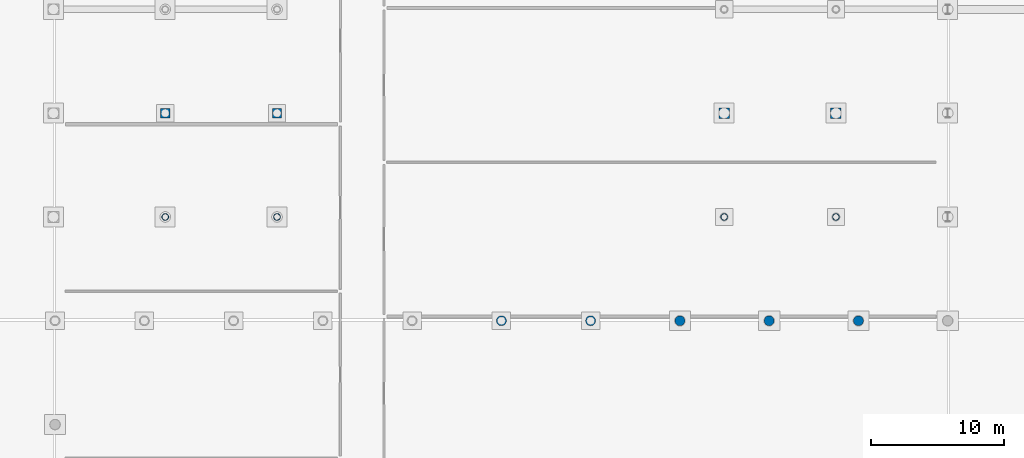
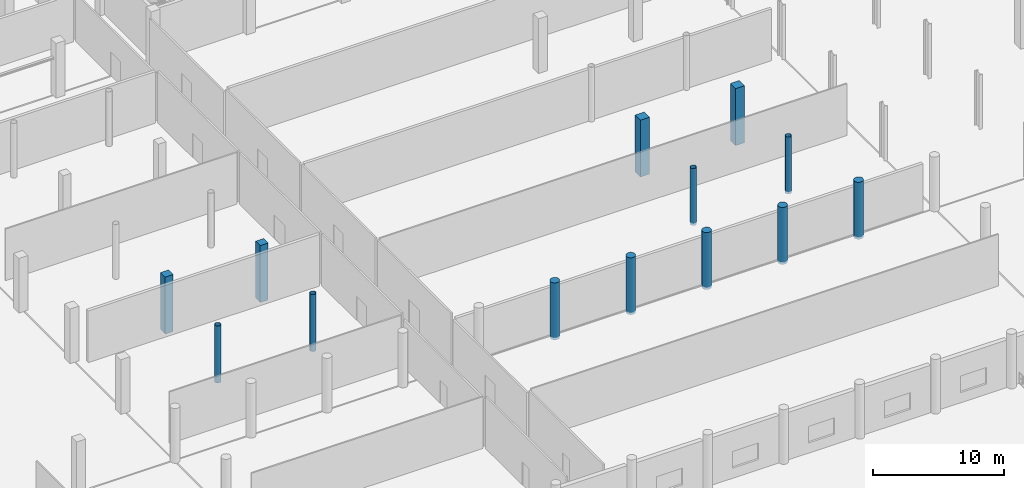
# One storey, part 12 of 48: 13 columns.
"""IFC4 building model written with IfcOpenShell, lengths in metres."""

from ifc_helpers import new_model, si_unit, direction, frame, origin, origin_2d, place, context, subcontext, project, spatial, rectangle, circle, hollow_circle, extrude, material, material_profile, profile_set, type_object, element, save


model = new_model("IFC4")

# Units and contexts
model_context = context("Model", 3, precision=1e-05, world=origin(), true_north=direction((0.0, 1.0)))
body_context = subcontext(model_context, "Body", "Model", "MODEL_VIEW")
ifc_project = project(units=[si_unit("LENGTHUNIT", "METRE"), si_unit("AREAUNIT", "SQUARE_METRE"), si_unit("VOLUMEUNIT", "CUBIC_METRE"), si_unit("PLANEANGLEUNIT", "RADIAN"), si_unit("MASSUNIT", "GRAM", prefix="KILO")], contexts=[model_context])

# Site, building, storey
site_placement = place(None, origin())
site = spatial("IfcSite", under=ifc_project, at=site_placement, CompositionType="ELEMENT")
building_placement = place(site_placement, origin())
building = spatial("IfcBuilding", under=site, at=building_placement, Name="Nabrawat Pavilion Hospital", CompositionType="ELEMENT")
storey_placement = place(building_placement, frame((0.0, 0.0, -5.10009765625)))
storey = spatial("IfcBuildingStorey", under=building, at=storey_placement, Name="B1", CompositionType="ELEMENT", Elevation=-5.10009765625)

# Columns
ifc_material_1 = material(Name="Steel S355", Category="steel")
ifc_material_profile_1 = material_profile(ifc_material_1, hollow_circle(Radius=0.25390625, WallThickness=0.02001953125, at=origin_2d()), Name="CHS 508x20")
ifc_profile_set_1 = profile_set([ifc_material_profile_1], Name="Steel S355")
column_type_1 = type_object("IfcColumnType", Name="Courtyard Bridge Base Column CHS 508x20", PredefinedType="COLUMN", material=ifc_profile_set_1)
for number, where, z_axis, x_axis, name in (
    (1, (75.60009765625, 46.800048828125, -0.219970703125), (0.0, 0.0, 1.0), (1.0, 0.0, 0.0), "B1 Structural Column G-10-G"),
    (2, (109.199951171875, 46.800048828125, -0.219970703125), (0.0, 0.0, 1.0), (1.0, 0.0, 0.0), "B1 Structural Column G-14-G"),
    (3, (117.60009765625, 46.800048828125, -0.219970703125), (0.0, 0.0, 1.0), (1.0, 0.0, 0.0), "B1 Structural Column G-15-G"),
    (4, (67.199951171875, 46.800048828125, -0.219970703125), (0.0, 0.0, 1.0), (1.0, 0.0, 0.0), "B1 Structural Column G-9-G"),
):
    element("IfcColumn", number, at=place(storey_placement, frame(where, z_axis=z_axis, x_axis=x_axis)), inside=storey, type_object=column_type_1, Name=name, PredefinedType="COLUMN", context=body_context, shape_type="SweptSolid", body=[
        extrude(hollow_circle(Radius=0.25390625, WallThickness=0.02001953125, at=origin_2d()), origin(), (0.0, 0.0, 1.0), 5.320068359375),
    ])
ifc_material_2 = material(Name="Concrete C40/50", Category="concrete")
ifc_material_profile_2 = material_profile(ifc_material_2, rectangle(XDim=0.699951171875, YDim=0.699951171875, at=origin_2d()), Name="RC 700x700")
ifc_profile_set_2 = profile_set([ifc_material_profile_2], Name="Concrete C40/50")
column_type_2 = type_object("IfcColumnType", Name="Mid-Tier Ward RC Column 700x700", PredefinedType="COLUMN", material=ifc_profile_set_2)
for number, where, z_axis, x_axis, name in (
    (5, (75.60009765625, 54.60009765625, -0.219970703125), (0.0, 0.0, 1.0), (1.0, 0.0, 0.0), "B1 Structural Column G-10-H"),
    (6, (67.199951171875, 54.60009765625, -0.219970703125), (0.0, 0.0, 1.0), (1.0, 0.0, 0.0), "B1 Structural Column G-9-H"),
):
    element("IfcColumn", number, at=place(storey_placement, frame(where, z_axis=z_axis, x_axis=x_axis)), inside=storey, type_object=column_type_2, Name=name, PredefinedType="COLUMN", context=body_context, shape_type="SweptSolid", body=[
        extrude(rectangle(XDim=0.699951171875, YDim=0.699951171875, at=origin_2d()), origin(), (0.0, 0.0, 1.0), 5.320068359375),
    ])
ifc_material_profile_3 = material_profile(ifc_material_2, circle(Radius=0.375, at=origin_2d()), Name="RC D750")
ifc_profile_set_3 = profile_set([ifc_material_profile_3], Name="Concrete C40/50")
column_type_3 = type_object("IfcColumnType", Name="Pavilion Base Composite Column D750", PredefinedType="COLUMN", material=ifc_profile_set_3)
for number, where, z_axis, x_axis, name in (
    (7, (92.4599609375, 39.0, -0.219970703125), (0.0, 0.0, 1.0), (1.0, 0.0, 0.0), "B1 Expressed Pavilion Column MH-N05"),
    (8, (99.16796875, 39.0, -0.219970703125), (0.0, 0.0, 1.0), (1.0, 0.0, 0.0), "B1 Expressed Pavilion Column MH-N06"),
    (9, (105.8759765625, 39.0, -0.219970703125), (0.0, 0.0, 1.0), (1.0, 0.0, 0.0), "B1 Expressed Pavilion Column MH-N07"),
    (10, (112.583984375, 39.0, -0.219970703125), (0.0, 0.0, 1.0), (1.0, 0.0, 0.0), "B1 Expressed Pavilion Column MH-N08"),
    (11, (119.2919921875, 39.0, -0.219970703125), (0.0, 0.0, 1.0), (1.0, 0.0, 0.0), "B1 Expressed Pavilion Column MH-N09"),
):
    element("IfcColumn", number, at=place(storey_placement, frame(where, z_axis=z_axis, x_axis=x_axis)), inside=storey, type_object=column_type_3, Name=name, PredefinedType="COLUMN", context=body_context, shape_type="SweptSolid", body=[
        extrude(circle(Radius=0.375, at=origin_2d()), origin(), (0.0, 0.0, 1.0), 5.320068359375),
    ])
ifc_material_profile_4 = material_profile(ifc_material_2, rectangle(XDim=0.800048828125, YDim=0.800048828125, at=origin_2d()), Name="RC 800x800")
ifc_profile_set_4 = profile_set([ifc_material_profile_4], Name="Concrete C40/50")
column_type_4 = type_object("IfcColumnType", Name="Podium Primary RC Column 800x800", PredefinedType="COLUMN", material=ifc_profile_set_4)
for number, where, z_axis, x_axis, name in (
    (12, (109.199951171875, 54.60009765625, -0.219970703125), (0.0, 0.0, 1.0), (1.0, 0.0, 0.0), "B1 Structural Column G-14-H"),
    (13, (117.60009765625, 54.60009765625, -0.219970703125), (0.0, 0.0, 1.0), (1.0, 0.0, 0.0), "B1 Structural Column G-15-H"),
):
    element("IfcColumn", number, at=place(storey_placement, frame(where, z_axis=z_axis, x_axis=x_axis)), inside=storey, type_object=column_type_4, Name=name, PredefinedType="COLUMN", context=body_context, shape_type="SweptSolid", body=[
        extrude(rectangle(XDim=0.800048828125, YDim=0.800048828125, at=origin_2d()), origin(), (0.0, 0.0, 1.0), 5.320068359375),
    ])

save(model, "model.ifc")
